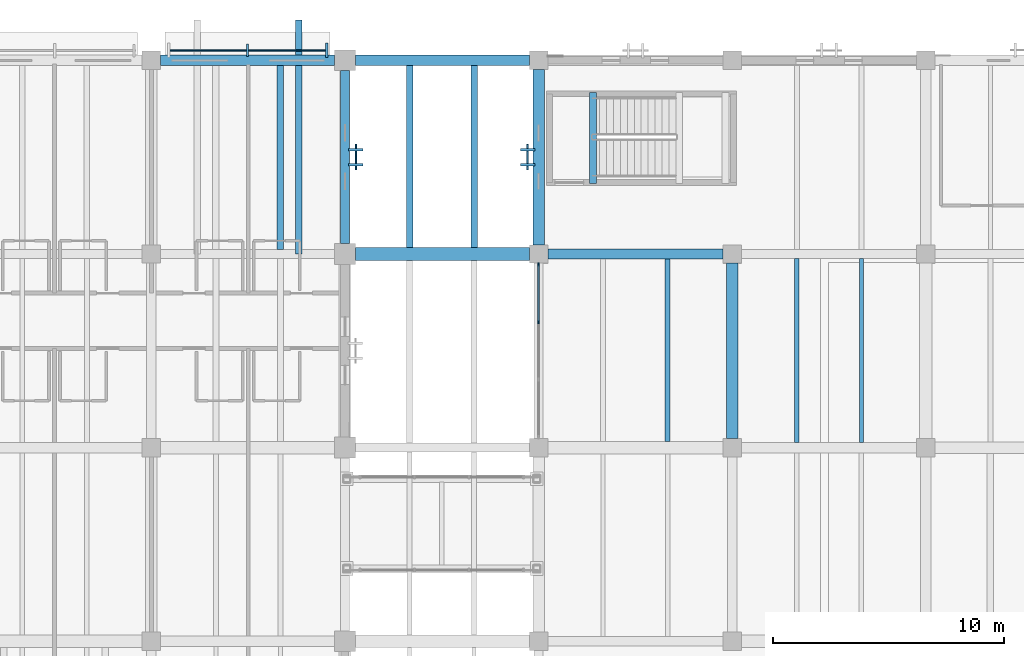
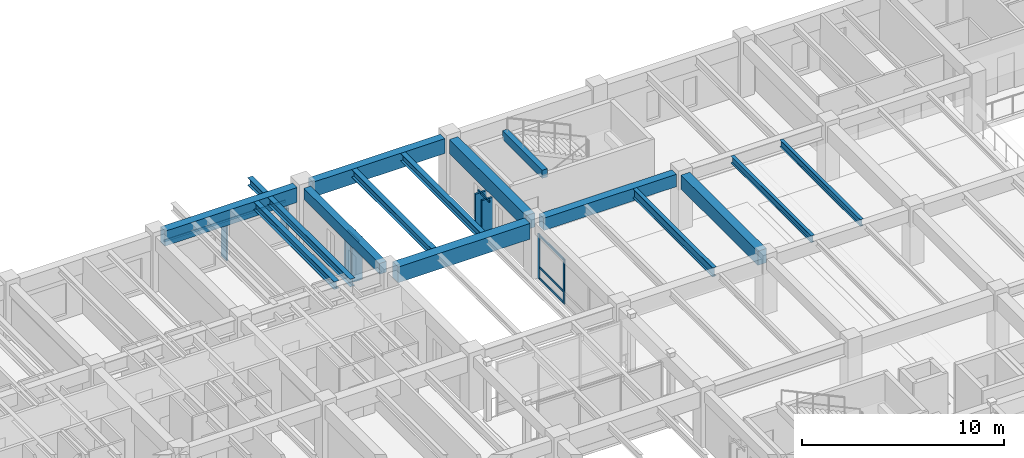
# One storey, part 38 of 118: 15 beams, 14 members, 4 elements without a shape of their own.
"""IFC4 building model written with IfcOpenShell, lengths in metres."""

from ifc_helpers import new_model, si_unit, direction, frame, origin, origin_2d, place, context, subcontext, project, spatial, rectangle, i_section, extrude, material, material_profile, profile_set, type_object, element, aggregate, save


model = new_model("IFC4")

# Units and contexts
model_context = context("Model", 3, precision=1e-05, world=origin(), true_north=direction((0.0, 1.0)))
body_context = subcontext(model_context, "Body", "Model", "MODEL_VIEW")
ifc_project = project(units=[si_unit("LENGTHUNIT", "METRE"), si_unit("AREAUNIT", "SQUARE_METRE"), si_unit("VOLUMEUNIT", "CUBIC_METRE"), si_unit("PLANEANGLEUNIT", "RADIAN"), si_unit("MASSUNIT", "GRAM", prefix="KILO")], contexts=[model_context])

# Site, building, storey
site_placement = place(None, origin())
site = spatial("IfcSite", under=ifc_project, at=site_placement, CompositionType="ELEMENT")
building_placement = place(site_placement, origin())
building = spatial("IfcBuilding", under=site, at=building_placement, Name="Cumbredor Promenade Congress Hotel", CompositionType="ELEMENT")
storey_placement = place(building_placement, frame((0.0, 0.0, 3.919921875)))
storey = spatial("IfcBuildingStorey", under=building, at=storey_placement, Name="L01", CompositionType="ELEMENT", Elevation=3.919921875)

# Beams
ifc_material_1 = material(Name="Concrete C40/50", Category="concrete")
ifc_material_profile_1 = material_profile(ifc_material_1, rectangle(XDim=0.39990234375, YDim=0.64990234375, at=origin_2d()), Name="RC BEAM 400x650")
ifc_profile_set_1 = profile_set([ifc_material_profile_1], Name="Concrete C40/50")
beam_type_1 = type_object("IfcBeamType", Name="BM-RC-400x650", PredefinedType="BEAM", material=ifc_profile_set_1)
beam_1_placement = place(storey_placement, frame((84.0, 109.64990234375, 3.03515625), z_axis=(0.0, 1.0, 0.0), x_axis=(-1.0, 0.0, 0.0)))
element("IfcBeam", 1, at=beam_1_placement, inside=storey, type_object=beam_type_1, Name="L02 Y-Grid Beam 165", PredefinedType="BEAM", context=body_context, shape_type="SweptSolid", body=[
    extrude(rectangle(XDim=0.39990234375, YDim=0.64990234375, at=origin_2d()), origin(), (0.0, 0.0, 1.0), 7.5),
])
ifc_material_profile_2 = material_profile(ifc_material_1, rectangle(XDim=0.449951171875, YDim=0.75, at=origin_2d()), Name="RC BEAM 450x750")
ifc_profile_set_2 = profile_set([ifc_material_profile_2], Name="Concrete C40/50")
beam_type_2 = type_object("IfcBeamType", Name="BM-RC-450x750", PredefinedType="BEAM", material=ifc_profile_set_2)
beam_2_placement = place(storey_placement, frame((92.800048828125, 109.199951171875, 2.985107421875), z_axis=(1.0, 0.0, 0.0), x_axis=(0.0, 1.0, 0.0)))
element("IfcBeam", 2, at=beam_2_placement, inside=storey, type_object=beam_type_2, Name="L02 X-Grid Beam 178", PredefinedType="BEAM", context=body_context, shape_type="SweptSolid", body=[
    extrude(rectangle(XDim=0.449951171875, YDim=0.75, at=origin_2d()), origin(), (0.0, 0.0, 1.0), 7.599853515625),
])
ifc_material_profile_3 = material_profile(ifc_material_1, rectangle(XDim=0.5, YDim=0.85009765625, at=origin_2d()), Name="RC BEAM 500x850")
ifc_profile_set_3 = profile_set([ifc_material_profile_3], Name="Concrete C40/50")
beam_type_3 = type_object("IfcBeamType", Name="BM-RC-500x850", PredefinedType="BEAM", material=ifc_profile_set_3)
beam_3_placement = place(storey_placement, frame((92.39990234375, 109.60009765625, 2.93505859375), z_axis=(0.0, 1.0, 0.0), x_axis=(-1.0, 0.0, 0.0)))
element("IfcBeam", 3, at=beam_3_placement, inside=storey, type_object=beam_type_3, Name="L02 Y-Grid Beam 179", PredefinedType="BEAM", context=body_context, shape_type="SweptSolid", body=[
    extrude(rectangle(XDim=0.5, YDim=0.85009765625, at=origin_2d()), origin(), (0.0, 0.0, 1.0), 7.599853515625),
])
beam_4_placement = place(storey_placement, frame((100.800048828125, 101.199951171875, 2.93505859375), z_axis=(0.0, 1.0, 0.0), x_axis=(-1.0, 0.0, 0.0)))
element("IfcBeam", 4, at=beam_4_placement, inside=storey, type_object=beam_type_3, Name="L02 Y-Grid Beam 191", PredefinedType="BEAM", context=body_context, shape_type="SweptSolid", body=[
    extrude(rectangle(XDim=0.5, YDim=0.85009765625, at=origin_2d()), origin(), (0.0, 0.0, 1.0), 7.60009765625),
])
ifc_material_profile_4 = material_profile(ifc_material_1, rectangle(XDim=0.550048828125, YDim=0.949951171875, at=origin_2d()), Name="RC BEAM 550x950")
ifc_profile_set_4 = profile_set([ifc_material_profile_4], Name="Concrete C40/50")
beam_type_4 = type_object("IfcBeamType", Name="BM-RC-550x950", PredefinedType="BEAM", material=ifc_profile_set_4)
beam_5_placement = place(storey_placement, frame((84.449951171875, 109.199951171875, 2.885009765625), z_axis=(1.0, 0.0, 0.0), x_axis=(0.0, 1.0, 0.0)))
element("IfcBeam", 5, at=beam_5_placement, inside=storey, type_object=beam_type_4, Name="L02 X-Grid Beam 164", PredefinedType="BEAM", context=body_context, shape_type="SweptSolid", body=[
    extrude(rectangle(XDim=0.550048828125, YDim=0.949951171875, at=origin_2d()), origin(), (0.0, 0.0, 1.0), 7.550048828125),
])

# Curtain wall, members
ifc_material_2 = material(Name="Thermally broken anodized aluminium and low-E glass", Category="aluminium")
curtain_wall_type_1 = type_object("IfcCurtainWallType", Name="Unitised Forum Curtain Wall CW-02", PredefinedType="NOTDEFINED", material=ifc_material_2)
curtain_wall_1_placement = place(storey_placement, origin())
curtain_wall_1 = element("IfcCurtainWall", 6, at=curtain_wall_1_placement, inside=storey, type_object=curtain_wall_type_1, Name="L01 Pre-Function and Breakout Meeting Forum West Curtain Wall 3", PredefinedType="NOTDEFINED")
ifc_material_3 = material(Name="Thermally broken anodized aluminium", Category="aluminium")
ifc_material_profile_5 = material_profile(ifc_material_3, rectangle(XDim=0.06494140625, YDim=0.159912109375, at=origin_2d()), Name="ALU MULLION 65x160")
ifc_profile_set_5 = profile_set([ifc_material_profile_5], Name="Thermally broken anodized aluminium")
member_type_1 = type_object("IfcMemberType", Name="Curtain Wall Mullion ML-01", PredefinedType="MULLION", material=ifc_profile_set_5)
member_1_placement = place(storey_placement, frame((92.39990234375, 106.248291015625, -0.0078125), z_axis=(0.0, 0.0, 1.0), x_axis=(1.0, 0.0, 0.0)))
member_1 = element("IfcMember", 7, at=member_1_placement, type_object=member_type_1, Name="L01 Pre-Function and Breakout Meeting Forum West Curtain Wall 3 Mullion 3", PredefinedType="MULLION", context=body_context, shape_type="SweptSolid", body=[
    extrude(rectangle(XDim=0.06494140625, YDim=0.159912109375, at=origin_2d()), origin(), (0.0, 0.0, 1.0), 2.7109375),
])
member_2_placement = place(storey_placement, frame((92.39990234375, 108.7451171875, -0.0078125), z_axis=(0.0, 0.0, 1.0), x_axis=(1.0, 0.0, 0.0)))
member_2 = element("IfcMember", 8, at=member_2_placement, type_object=member_type_1, Name="L01 Pre-Function and Breakout Meeting Forum West Curtain Wall 3 Mullion 4", PredefinedType="MULLION", context=body_context, shape_type="SweptSolid", body=[
    extrude(rectangle(XDim=0.06494140625, YDim=0.159912109375, at=origin_2d()), origin(), (0.0, 0.0, 1.0), 2.7109375),
])
ifc_material_profile_6 = material_profile(ifc_material_3, rectangle(XDim=0.06494140625, YDim=0.1298828125, at=origin_2d()), Name="ALU TRANSOM 65x130")
ifc_profile_set_6 = profile_set([ifc_material_profile_6], Name="Thermally broken anodized aluminium")
member_type_2 = type_object("IfcMemberType", Name="Curtain Wall Transom TR-01", PredefinedType="USERDEFINED", material=ifc_profile_set_6)
member_3_placement = place(storey_placement, frame((92.39990234375, 106.28076171875, 0.06005859375), z_axis=(0.0, 1.0, 0.0), x_axis=(-1.0, 0.0, 0.0)))
member_3 = element("IfcMember", 9, at=member_3_placement, type_object=member_type_2, Name="L01 Pre-Function and Breakout Meeting Forum West Curtain Wall 3 Transom 3.1", ObjectType="TRANSOM", PredefinedType="USERDEFINED", context=body_context, shape_type="SweptSolid", body=[
    extrude(rectangle(XDim=0.06494140625, YDim=0.1298828125, at=origin_2d()), origin(), (0.0, 0.0, 1.0), 2.431640625),
])
member_4_placement = place(storey_placement, frame((92.39990234375, 106.28076171875, 0.719970703125), z_axis=(0.0, 1.0, 0.0), x_axis=(-1.0, 0.0, 0.0)))
member_4 = element("IfcMember", 10, at=member_4_placement, type_object=member_type_2, Name="L01 Pre-Function and Breakout Meeting Forum West Curtain Wall 3 Transom 3.2", ObjectType="TRANSOM", PredefinedType="USERDEFINED", context=body_context, shape_type="SweptSolid", body=[
    extrude(rectangle(XDim=0.06494140625, YDim=0.1298828125, at=origin_2d()), origin(), (0.0, 0.0, 1.0), 2.431640625),
])
member_5_placement = place(storey_placement, frame((92.39990234375, 106.28076171875, 2.630126953125), z_axis=(0.0, 1.0, 0.0), x_axis=(-1.0, 0.0, 0.0)))
member_5 = element("IfcMember", 11, at=member_5_placement, type_object=member_type_2, Name="L01 Pre-Function and Breakout Meeting Forum West Curtain Wall 3 Transom 3.3", ObjectType="TRANSOM", PredefinedType="USERDEFINED", context=body_context, shape_type="SweptSolid", body=[
    extrude(rectangle(XDim=0.06494140625, YDim=0.1298828125, at=origin_2d()), origin(), (0.0, 0.0, 1.0), 2.431640625),
])
aggregate(curtain_wall_1, [member_1, member_2, member_3, member_4, member_5])

# Curtain wall, member
curtain_wall_type_2 = type_object("IfcCurtainWallType", Name="Solar Brise-Soleil Screen Assembly CW-07", PredefinedType="NOTDEFINED", material=ifc_material_2)
curtain_wall_2_placement = place(storey_placement, origin())
curtain_wall_2 = element("IfcCurtainWall", 12, at=curtain_wall_2_placement, inside=storey, type_object=curtain_wall_type_2, Name="L01 Pier Brise-Soleil Screen 0268", PredefinedType="NOTDEFINED")
member_6_placement = place(storey_placement, frame((91.927490234375, 112.85009765625, 2.3349609375), z_axis=(0.0, 1.0, 0.0), x_axis=(-1.0, 0.0, 0.0)))
member_6 = element("IfcMember", 13, at=member_6_placement, type_object=member_type_2, Name="L01 Pier Brise-Soleil Header 0270", ObjectType="TRANSOM", PredefinedType="USERDEFINED", context=body_context, shape_type="SweptSolid", body=[
    extrude(rectangle(XDim=0.06494140625, YDim=0.1298828125, at=origin_2d()), origin(), (0.0, 0.0, 1.0), 1.099853515625),
])

curtain_wall_3_placement = place(storey_placement, origin())
curtain_wall_3 = element("IfcCurtainWall", 14, at=curtain_wall_3_placement, inside=storey, type_object=curtain_wall_type_2, Name="L01 Hospitality Brise-Soleil Screen 029", PredefinedType="NOTDEFINED")
member_7_placement = place(storey_placement, frame((76.301025390625, 118.034912109375, 2.26513671875), z_axis=(1.0, 0.0, 0.0), x_axis=(0.0, 1.0, 0.0)))
member_7 = element("IfcMember", 15, at=member_7_placement, type_object=member_type_2, Name="L01 Brise-Soleil Screen Transom 029", ObjectType="TRANSOM", PredefinedType="USERDEFINED", context=body_context, shape_type="SweptSolid", body=[
    extrude(rectangle(XDim=0.06494140625, YDim=0.1298828125, at=origin_2d()), origin(), (0.0, 0.0, 1.0), 6.947998046875),
])

curtain_wall_4_placement = place(storey_placement, origin())
curtain_wall_4 = element("IfcCurtainWall", 16, at=curtain_wall_4_placement, inside=storey, type_object=curtain_wall_type_2, Name="L01 Pier Brise-Soleil Screen 0349", PredefinedType="NOTDEFINED")
member_8_placement = place(storey_placement, frame((84.472412109375, 112.85009765625, 2.53515625), z_axis=(0.0, 1.0, 0.0), x_axis=(-1.0, 0.0, 0.0)))
member_8 = element("IfcMember", 17, at=member_8_placement, type_object=member_type_2, Name="L01 Pier Brise-Soleil Header 0351", ObjectType="TRANSOM", PredefinedType="USERDEFINED", context=body_context, shape_type="SweptSolid", body=[
    extrude(rectangle(XDim=0.06494140625, YDim=0.1298828125, at=origin_2d()), origin(), (0.0, 0.0, 1.0), 1.099853515625),
])

# Beams
ifc_material_4 = material(Name="Steel ASTM A992 Grade 50", Category="steel")
ifc_material_profile_7 = material_profile(ifc_material_4, i_section(OverallWidth=0.180908203125, OverallDepth=0.4169921875, WebThickness=0.010986328125, FlangeThickness=0.018310546875, at=origin_2d()), Name="W16X57")
ifc_profile_set_7 = profile_set([ifc_material_profile_7], Name="Steel ASTM A992 Grade 50")
beam_type_5 = type_object("IfcBeamType", Name="JST-W16X57", PredefinedType="JOIST", material=ifc_profile_set_7)
for number, where, z_axis, x_axis, name in (
    (18, (103.60009765625, 101.02490234375, 3.151611328125), (0.0, 1.0, 0.0), (-1.0, 0.0, 0.0), "L02 Secondary Floor Joist 0114"),
    (19, (106.39990234375, 101.02490234375, 3.151611328125), (0.0, 1.0, 0.0), (-1.0, 0.0, 0.0), "L02 Secondary Floor Joist 0115"),
):
    element("IfcBeam", number, at=place(storey_placement, frame(where, z_axis=z_axis, x_axis=x_axis)), inside=storey, type_object=beam_type_5, Name=name, PredefinedType="JOIST", context=body_context, shape_type="SweptSolid", body=[
        extrude(i_section(OverallWidth=0.180908203125, OverallDepth=0.4169921875, WebThickness=0.010986328125, FlangeThickness=0.018310546875, at=origin_2d()), origin(), (0.0, 0.0, 1.0), 7.97509765625),
    ])
ifc_material_profile_8 = material_profile(ifc_material_4, i_section(OverallWidth=0.280029296875, OverallDepth=0.462890625, WebThickness=0.0107421875, FlangeThickness=0.017333984375, at=origin_2d()), Name="W18X76")
ifc_profile_set_8 = profile_set([ifc_material_profile_8], Name="Steel ASTM A992 Grade 50")
beam_type_6 = type_object("IfcBeamType", Name="JST-W18X76", PredefinedType="JOIST", material=ifc_profile_set_8)
beam_6_placement = place(storey_placement, frame((82.0, 109.199951171875, 3.128662109375), z_axis=(0.0, 1.0, 0.0), x_axis=(-1.0, 0.0, 0.0)))
element("IfcBeam", 20, at=beam_6_placement, inside=storey, type_object=beam_type_6, Name="L02 Balcony Back-Spanned Outrigger Beam 008.2", PredefinedType="JOIST", context=body_context, shape_type="SweptSolid", body=[
    extrude(i_section(OverallWidth=0.280029296875, OverallDepth=0.462890625, WebThickness=0.0107421875, FlangeThickness=0.017333984375, at=origin_2d()), origin(), (0.0, 0.0, 1.0), 10.150146484375),
])
beam_7_placement = place(storey_placement, frame((81.199951171875, 109.39990234375, 3.128662109375), z_axis=(0.0, 1.0, 0.0), x_axis=(-1.0, 0.0, 0.0)))
element("IfcBeam", 21, at=beam_7_placement, inside=storey, type_object=beam_type_6, Name="L02 Secondary Floor Joist 0091", PredefinedType="JOIST", context=body_context, shape_type="SweptSolid", body=[
    extrude(i_section(OverallWidth=0.280029296875, OverallDepth=0.462890625, WebThickness=0.0107421875, FlangeThickness=0.017333984375, at=origin_2d()), origin(), (0.0, 0.0, 1.0), 7.97509765625),
])
for number, where, z_axis, x_axis, name in (
    (22, (86.800048828125, 109.47509765625, 3.128662109375), (0.0, 1.0, 0.0), (-1.0, 0.0, 0.0), "L02 Secondary Floor Joist 0100"),
    (23, (89.60009765625, 109.47509765625, 3.128662109375), (0.0, 1.0, 0.0), (-1.0, 0.0, 0.0), "L02 Secondary Floor Joist 0101"),
):
    element("IfcBeam", number, at=place(storey_placement, frame(where, z_axis=z_axis, x_axis=x_axis)), inside=storey, type_object=beam_type_6, Name=name, PredefinedType="JOIST", context=body_context, shape_type="SweptSolid", body=[
        extrude(i_section(OverallWidth=0.280029296875, OverallDepth=0.462890625, WebThickness=0.0107421875, FlangeThickness=0.017333984375, at=origin_2d()), origin(), (0.0, 0.0, 1.0), 7.89990234375),
    ])
ifc_material_profile_9 = material_profile(ifc_material_4, i_section(OverallWidth=0.214111328125, OverallDepth=0.549072265625, WebThickness=0.0146484375, FlangeThickness=0.023681640625, at=origin_2d()), Name="W21X93")
ifc_profile_set_9 = profile_set([ifc_material_profile_9], Name="Steel ASTM A992 Grade 50")
beam_type_7 = type_object("IfcBeamType", Name="JST-W21X93", PredefinedType="JOIST", material=ifc_profile_set_9)
beam_8_placement = place(storey_placement, frame((98.0, 101.074951171875, 3.085693359375), z_axis=(0.0, 1.0, 0.0), x_axis=(-1.0, 0.0, 0.0)))
element("IfcBeam", 24, at=beam_8_placement, inside=storey, type_object=beam_type_7, Name="L02 Secondary Floor Joist 0107", PredefinedType="JOIST", context=body_context, shape_type="SweptSolid", body=[
    extrude(i_section(OverallWidth=0.214111328125, OverallDepth=0.549072265625, WebThickness=0.0146484375, FlangeThickness=0.023681640625, at=origin_2d()), origin(), (0.0, 0.0, 1.0), 7.900146484375),
])
ifc_material_profile_10 = material_profile(ifc_material_1, rectangle(XDim=0.300048828125, YDim=0.5, at=origin_2d()), Name="RC LINTEL 300x500")
ifc_profile_set_10 = profile_set([ifc_material_profile_10], Name="Concrete C40/50")
beam_type_8 = type_object("IfcBeamType", Name="LN-RC-300x500", PredefinedType="LINTEL", material=ifc_profile_set_10)
beam_9_placement = place(storey_placement, frame((94.75, 112.25, 3.39013671875), z_axis=(0.0, 1.0, 0.0), x_axis=(-1.0, 0.0, 0.0)))
element("IfcBeam", 25, at=beam_9_placement, inside=storey, type_object=beam_type_8, Name="L02 Stair ST-15 Well Header Trimmer Beam", PredefinedType="LINTEL", context=body_context, shape_type="SweptSolid", body=[
    extrude(rectangle(XDim=0.300048828125, YDim=0.5, at=origin_2d()), origin(), (0.0, 0.0, 1.0), 3.949951171875),
])
ifc_material_profile_11 = material_profile(ifc_material_1, rectangle(XDim=0.449951171875, YDim=0.89990234375, at=origin_2d()), Name="RC SPANDREL 450x900")
ifc_profile_set_11 = profile_set([ifc_material_profile_11], Name="Concrete C40/50")
beam_type_9 = type_object("IfcBeamType", Name="SP-RC-450x900", PredefinedType="SPANDREL", material=ifc_profile_set_11)
for number, where, z_axis, x_axis, name in (
    (26, (76.0, 117.60009765625, 2.91015625), (1.0, 0.0, 0.0), (0.0, 1.0, 0.0), "L02 X-Grid Beam 152"),
    (27, (84.449951171875, 117.60009765625, 2.91015625), (1.0, 0.0, 0.0), (0.0, 1.0, 0.0), "L02 X-Grid Beam 166"),
):
    element("IfcBeam", number, at=place(storey_placement, frame(where, z_axis=z_axis, x_axis=x_axis)), inside=storey, type_object=beam_type_9, Name=name, PredefinedType="SPANDREL", context=body_context, shape_type="SweptSolid", body=[
        extrude(rectangle(XDim=0.449951171875, YDim=0.89990234375, at=origin_2d()), origin(), (0.0, 0.0, 1.0), 7.550048828125),
    ])

# Member
ifc_material_profile_12 = material_profile(ifc_material_3, rectangle(XDim=0.110107421875, YDim=0.6201171875, at=origin_2d()), Name="ARCH FIN 110x620")
ifc_profile_set_12 = profile_set([ifc_material_profile_12], Name="Thermally broken anodized aluminium")
member_type_3 = type_object("IfcMemberType", Name="Vertical Bronze Brise-Soleil Fin BSF-02 110x620", PredefinedType="USERDEFINED", material=ifc_profile_set_12)
member_9_placement = place(storey_placement, frame((91.927490234375, 113.080078125, 0.02001953125), z_axis=(0.0, 0.0, 1.0), x_axis=(0.0, 1.0, 0.0)))
member_9 = element("IfcMember", 28, at=member_9_placement, type_object=member_type_3, Name="L01 Pier Brise-Soleil Fin 0269", ObjectType="SOLAR FIN", PredefinedType="USERDEFINED", context=body_context, shape_type="SweptSolid", body=[
    extrude(rectangle(XDim=0.110107421875, YDim=0.6201171875, at=origin_2d()), origin(), (0.0, 0.0, 1.0), 2.35498046875),
])

member_10_placement = place(storey_placement, frame((91.927490234375, 113.719970703125, 0.02001953125), z_axis=(0.0, 0.0, 1.0), x_axis=(0.0, 1.0, 0.0)))
member_10 = element("IfcMember", 29, at=member_10_placement, type_object=member_type_3, Name="L01 Pier Brise-Soleil Fin 0270", ObjectType="SOLAR FIN", PredefinedType="USERDEFINED", context=body_context, shape_type="SweptSolid", body=[
    extrude(rectangle(XDim=0.110107421875, YDim=0.6201171875, at=origin_2d()), origin(), (0.0, 0.0, 1.0), 2.35498046875),
])

aggregate(curtain_wall_2, [member_9, member_10, member_6])

member_11_placement = place(storey_placement, frame((83.198974609375, 118.034912109375, 0.02001953125), z_axis=(0.0, 0.0, 1.0), x_axis=(1.0, 0.0, 0.0)))
member_11 = element("IfcMember", 30, at=member_11_placement, type_object=member_type_3, Name="L01 Vertical Brise-Soleil Fin 0330", ObjectType="SOLAR FIN", PredefinedType="USERDEFINED", context=body_context, shape_type="SweptSolid", body=[
    extrude(rectangle(XDim=0.110107421875, YDim=0.6201171875, at=origin_2d()), origin(), (0.0, 0.0, 1.0), 2.30517578125),
])

member_12_placement = place(storey_placement, frame((84.472412109375, 113.080078125, 0.02001953125), z_axis=(0.0, 0.0, 1.0), x_axis=(0.0, 1.0, 0.0)))
member_12 = element("IfcMember", 31, at=member_12_placement, type_object=member_type_3, Name="L01 Pier Brise-Soleil Fin 0350", ObjectType="SOLAR FIN", PredefinedType="USERDEFINED", context=body_context, shape_type="SweptSolid", body=[
    extrude(rectangle(XDim=0.110107421875, YDim=0.6201171875, at=origin_2d()), origin(), (0.0, 0.0, 1.0), 2.55517578125),
])

member_13_placement = place(storey_placement, frame((84.472412109375, 113.719970703125, 0.02001953125), z_axis=(0.0, 0.0, 1.0), x_axis=(0.0, 1.0, 0.0)))
member_13 = element("IfcMember", 32, at=member_13_placement, type_object=member_type_3, Name="L01 Pier Brise-Soleil Fin 0351", ObjectType="SOLAR FIN", PredefinedType="USERDEFINED", context=body_context, shape_type="SweptSolid", body=[
    extrude(rectangle(XDim=0.110107421875, YDim=0.6201171875, at=origin_2d()), origin(), (0.0, 0.0, 1.0), 2.55517578125),
])

aggregate(curtain_wall_4, [member_12, member_13, member_8])

ifc_material_5 = material(Name="Kiln-dried tropical hardwood", Category="wood")
ifc_material_profile_13 = material_profile(ifc_material_5, rectangle(XDim=0.090087890625, YDim=0.550048828125, at=origin_2d()), Name="ARCH FIN 90x550")
ifc_profile_set_13 = profile_set([ifc_material_profile_13], Name="Kiln-dried tropical hardwood")
member_type_4 = type_object("IfcMemberType", Name="Vertical Hardwood Brise-Soleil Fin BSF-01 90x550", PredefinedType="USERDEFINED", material=ifc_profile_set_13)
member_14_placement = place(storey_placement, frame((79.77490234375, 118.034912109375, 0.02001953125), z_axis=(0.0, 0.0, 1.0), x_axis=(1.0, 0.0, 0.0)))
member_14 = element("IfcMember", 33, at=member_14_placement, type_object=member_type_4, Name="L01 Vertical Brise-Soleil Fin 0329", ObjectType="SOLAR FIN", PredefinedType="USERDEFINED", context=body_context, shape_type="SweptSolid", body=[
    extrude(rectangle(XDim=0.090087890625, YDim=0.550048828125, at=origin_2d()), origin(), (0.0, 0.0, 1.0), 2.30517578125),
])

aggregate(curtain_wall_3, [member_7, member_14, member_11])

save(model, "model.ifc")
